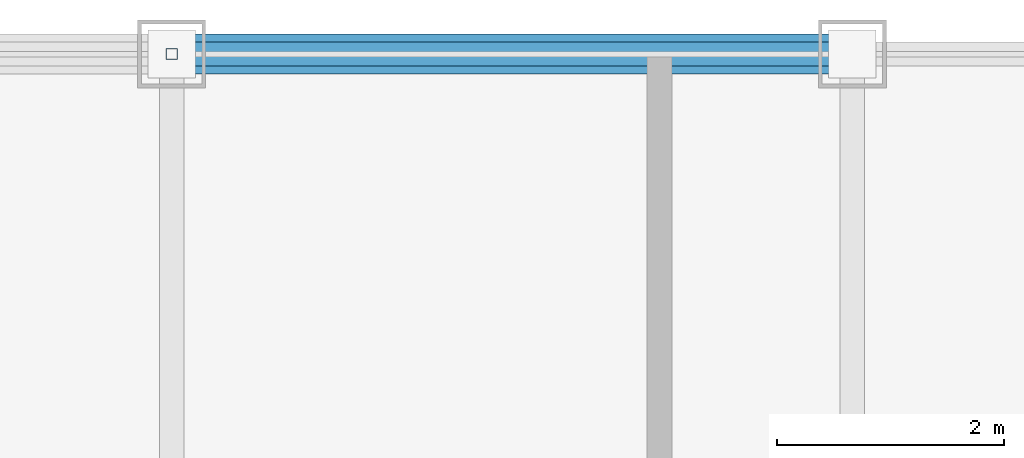
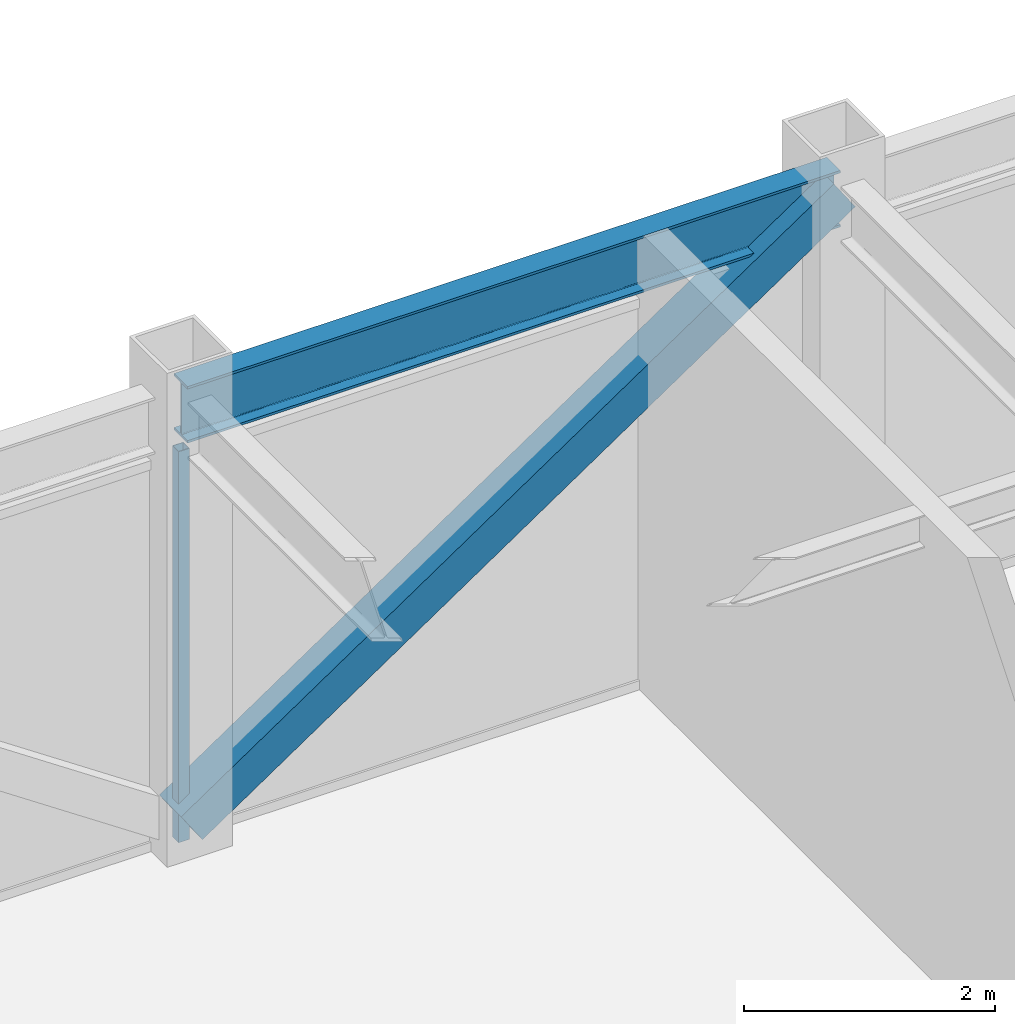
# One storey, part 18 of 27: 2 members, 1 beam, 1 element without a shape of its own.
"""IFC4 building model written with IfcOpenShell, lengths in metres."""

from ifc_helpers import new_model, si_unit, direction, frame, origin, origin_2d, place, context, subcontext, project, spatial, hollow_rectangle, i_section, extrude, source, transform, mapped, material, material_profile, profile_set, type_object, element, aggregate, save


model = new_model("IFC4")

# Units and contexts
model_context = context("Model", 3, precision=1e-05, world=origin(), true_north=direction((0.0, 1.0)))
body_context = subcontext(model_context, "Body", "Model", "MODEL_VIEW")
ifc_project = project(units=[si_unit("LENGTHUNIT", "METRE"), si_unit("AREAUNIT", "SQUARE_METRE"), si_unit("VOLUMEUNIT", "CUBIC_METRE"), si_unit("PLANEANGLEUNIT", "RADIAN"), si_unit("MASSUNIT", "GRAM", prefix="KILO")], contexts=[model_context])

# Site, building, storey
site_placement = place(None, origin())
site = spatial("IfcSite", under=ifc_project, at=site_placement, CompositionType="ELEMENT")
building_placement = place(site_placement, origin())
building = spatial("IfcBuilding", under=site, at=building_placement, Name="Khorayat Bourse Tower", CompositionType="ELEMENT")
storey_placement = place(building_placement, frame((0.0, 0.0, 380.300048828125)))
storey = spatial("IfcBuildingStorey", under=building, at=storey_placement, Name="L90", CompositionType="ELEMENT", Elevation=380.300048828125)

# Beam
ifc_material_1 = material(Name="Steel ASTM A992 Grade 50", Category="steel")
ifc_material_profile_1 = material_profile(ifc_material_1, i_section(OverallWidth=0.214111328125, OverallDepth=0.549072265625, WebThickness=0.0146484375, FlangeThickness=0.023681640625, FilletRadius=0.013916015625, at=origin_2d()), Name="W530X138")
ifc_profile_set_1 = profile_set([ifc_material_profile_1], Name="Steel ASTM A992 Grade 50")
beam_type = type_object("IfcBeamType", Name="BM-SPAN-530", PredefinedType="SPANDREL", material=ifc_profile_set_1)
shared_shape_1 = source(origin(), body_context, "Body", "SweptSolid", [
    extrude(i_section(OverallWidth=0.214111328125, OverallDepth=0.549072265625, WebThickness=0.0146484375, FlangeThickness=0.023681640625, FilletRadius=0.013916015625, at=origin_2d()), origin(), (0.0, 0.0, 1.0), 6.0),
])
beam_placement = place(storey_placement, frame((0.0, 24.0, 4.175537109375), z_axis=(1.0, 0.0, 0.0), x_axis=(0.0, 1.0, 0.0)))
element("IfcBeam", 1, at=beam_placement, inside=storey, type_object=beam_type, Name="L90 BM-SPAN-530 BM-L90-SPN-042", PredefinedType="SPANDREL", context=body_context, shape_type="MappedRepresentation", body=[
    mapped(shared_shape_1, transform((0.0, 0.0, 0.0), scale=1.0)),
])

# Member
ifc_material_2 = material(Name="Steel EN 10025-2 S355J2", Category="steel")
ifc_material_profile_2 = material_profile(ifc_material_2, hollow_rectangle(XDim=0.35009765625, YDim=0.35009765625, WallThickness=0.02001953125, at=origin_2d()), Name="HSS 350x350x20")
ifc_profile_set_2 = profile_set([ifc_material_profile_2], Name="Steel EN 10025-2 S355J2")
member_type_1 = type_object("IfcMemberType", Name="MBR-CROWN-350", PredefinedType="USERDEFINED", material=ifc_profile_set_2)
shared_shape_2 = source(origin(), body_context, "Body", "SweptSolid", [
    extrude(hollow_rectangle(XDim=0.35009765625, YDim=0.35009765625, WallThickness=0.02001953125, at=origin_2d()), origin(), (0.0, 0.0, 1.0), 7.239013671875),
])
member_1_placement = place(storey_placement, frame((0.0, 24.0, 0.199951171875), z_axis=(0.828845546207, 0.0, 0.559477488852), x_axis=(0.0, 1.0, 0.0)))
element("IfcMember", 2, at=member_1_placement, inside=storey, type_object=member_type_1, Name="L90 Lantern Crown Frame Member 07", ObjectType="CROWN FRAME", PredefinedType="USERDEFINED", context=body_context, shape_type="MappedRepresentation", body=[
    mapped(shared_shape_2, transform((0.0, 0.0, 0.0), scale=1.0)),
])

# Curtain wall, member
ifc_material_3 = material(Name="Aluminium EN AW-6063 T6", Category="aluminium")
curtain_wall_type = type_object("IfcCurtainWallType", Name="CW-SYS-07", PredefinedType="NOTDEFINED", material=ifc_material_3)
curtain_wall_placement = place(storey_placement, origin())
curtain_wall = element("IfcCurtainWall", 3, at=curtain_wall_placement, inside=storey, type_object=curtain_wall_type, Name="L90 Curtain Wall CW-L90-N1", PredefinedType="NOTDEFINED")
ifc_material_profile_3 = material_profile(ifc_material_3, hollow_rectangle(XDim=0.10009765625, YDim=0.10009765625, WallThickness=0.0048828125, at=origin_2d()), Name="ALU 100x100x5")
ifc_profile_set_3 = profile_set([ifc_material_profile_3], Name="Aluminium EN AW-6063 T6")
member_type_2 = type_object("IfcMemberType", Name="CWM-LANTERN-100", PredefinedType="MULLION", material=ifc_profile_set_3)
shared_shape_3 = source(origin(), body_context, "Body", "SweptSolid", [
    extrude(hollow_rectangle(XDim=0.10009765625, YDim=0.10009765625, WallThickness=0.0048828125, at=origin_2d()), origin(), (0.0, 0.0, 1.0), 3.800048828125),
])
member_2_placement = place(storey_placement, frame((0.0, 24.0, 0.0), z_axis=(0.0, 0.0, 1.0), x_axis=(0.0, 1.0, 0.0)))
member_2 = element("IfcMember", 4, at=member_2_placement, type_object=member_type_2, Name="CW-L90-N1 Vertical Mullion 2", PredefinedType="MULLION", context=body_context, shape_type="MappedRepresentation", body=[
    mapped(shared_shape_3, transform((0.0, 0.0, 0.0), scale=1.0)),
])
aggregate(curtain_wall, [member_2])

save(model, "model.ifc")
